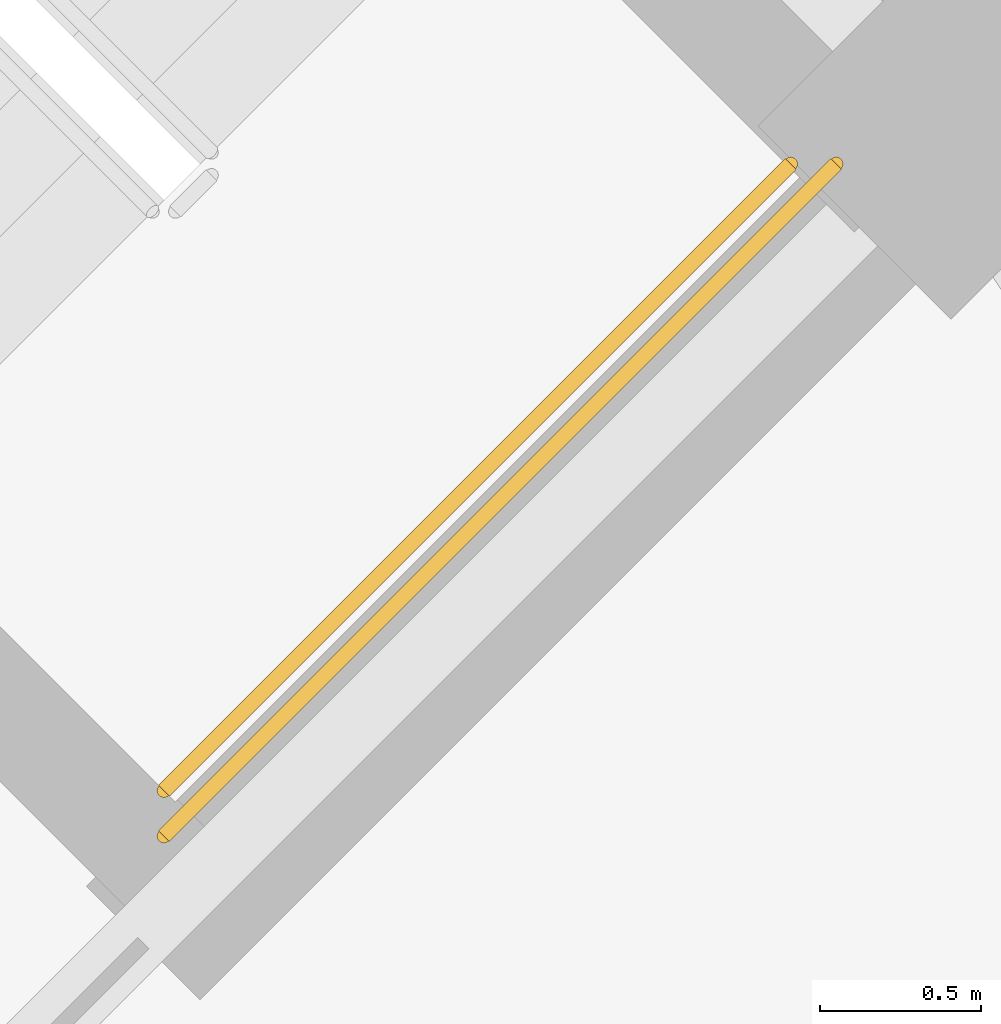
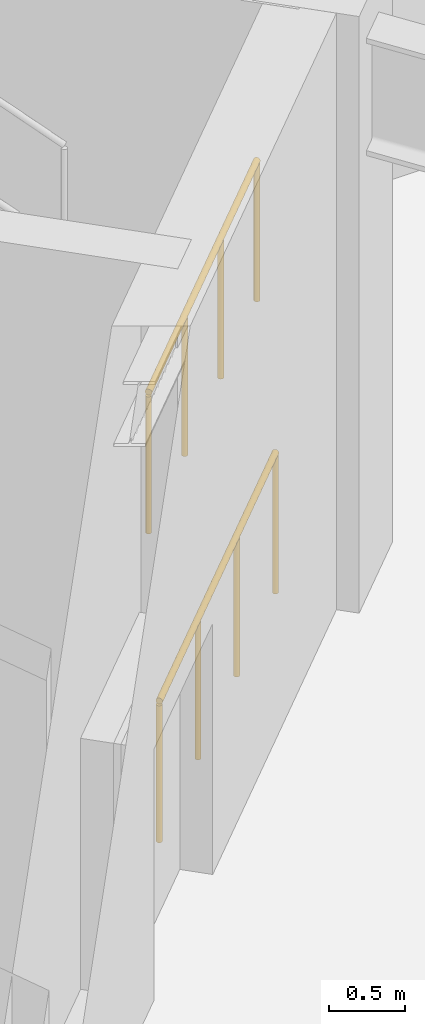
# One storey, part 16 of 17: 2 railings.
"""IFC4 building model written with IfcOpenShell, lengths in metres."""

from ifc_helpers import new_model, si_unit, direction, frame, origin, origin_2d, place, context, subcontext, project, spatial, circle, extrude, material, type_object, element, save


model = new_model("IFC4")

# Units and contexts
model_context = context("Model", 3, precision=1e-05, world=origin(), true_north=direction((0.0, 1.0)))
body_context = subcontext(model_context, "Body", "Model", "MODEL_VIEW")
ifc_project = project(units=[si_unit("LENGTHUNIT", "METRE"), si_unit("AREAUNIT", "SQUARE_METRE"), si_unit("VOLUMEUNIT", "CUBIC_METRE"), si_unit("PLANEANGLEUNIT", "RADIAN"), si_unit("MASSUNIT", "GRAM", prefix="KILO")], contexts=[model_context])

# Site, building, storey
site_placement = place(None, origin())
site = spatial("IfcSite", under=ifc_project, at=site_placement, CompositionType="ELEMENT")
building_placement = place(site_placement, origin())
building = spatial("IfcBuilding", under=site, at=building_placement, Name="Cununo Teusaquillo Station Towers", CompositionType="ELEMENT")
storey_placement = place(building_placement, origin())
storey = spatial("IfcBuildingStorey", under=building, at=storey_placement, Name="L00", CompositionType="ELEMENT", Elevation=0.0)

# Railings
ifc_material = material(Name="Steel EN 10025-2 S355J2", Category="steel")
railing_type = type_object("IfcRailingType", Name="RL-INT-GUARD", PredefinedType="GUARDRAIL", material=ifc_material)
railing_1_placement = place(storey_placement, frame((63.573974609375, 21.22607421875, 2.39990234375)))
element("IfcRailing", 1, at=railing_1_placement, inside=storey, type_object=railing_type, Name="L00 ST-T2-2 stair guard 3", PredefinedType="GUARDRAIL", context=body_context, shape_type="SweptSolid", body=[
    extrude(circle(Radius=0.02392578125, at=origin_2d()), frame((0.0, 0.0, 1.1259765625), z_axis=(0.707106781187, 0.707106781187, 0.0), x_axis=(-0.707106781187, 0.707106781187, 0.0)), (0.0, 0.0, 1.0), 2.760009765625),
    extrude(circle(Radius=0.02099609375, at=origin_2d()), origin(), (0.0, 0.0, 1.0), 1.101806640625),
    extrude(circle(Radius=0.02099609375, at=origin_2d()), frame((0.650634765625, 0.650634765625, 0.0)), (0.0, 0.0, 1.0), 1.101806640625),
    extrude(circle(Radius=0.02099609375, at=origin_2d()), frame((1.301025390625, 1.301025390625, 0.0)), (0.0, 0.0, 1.0), 1.101806640625),
    extrude(circle(Radius=0.02099609375, at=origin_2d()), frame((1.95166015625, 1.95166015625, 0.0)), (0.0, 0.0, 1.0), 1.101806640625),
])
railing_2_placement = place(storey_placement, frame((63.573974609375, 21.084716796875, 0.0)))
element("IfcRailing", 2, at=railing_2_placement, inside=storey, type_object=railing_type, Name="L00 ST-T2-2 stair guard 6", PredefinedType="GUARDRAIL", context=body_context, shape_type="SweptSolid", body=[
    extrude(circle(Radius=0.02392578125, at=origin_2d()), frame((0.0, 0.0, 1.1259765625), z_axis=(0.707106781187, 0.707106781187, 0.0), x_axis=(-0.707106781187, 0.707106781187, 0.0)), (0.0, 0.0, 1.0), 2.9599609375),
    extrude(circle(Radius=0.02099609375, at=origin_2d()), origin(), (0.0, 0.0, 1.0), 1.101806640625),
    extrude(circle(Radius=0.02099609375, at=origin_2d()), frame((0.69775390625, 0.69775390625, 0.0)), (0.0, 0.0, 1.0), 1.101806640625),
    extrude(circle(Radius=0.02099609375, at=origin_2d()), frame((1.395263671875, 1.395263671875, 0.0)), (0.0, 0.0, 1.0), 1.101806640625),
    extrude(circle(Radius=0.02099609375, at=origin_2d()), frame((2.093017578125, 2.093017578125, 0.0)), (0.0, 0.0, 1.0), 1.101806640625),
])

save(model, "model.ifc")
